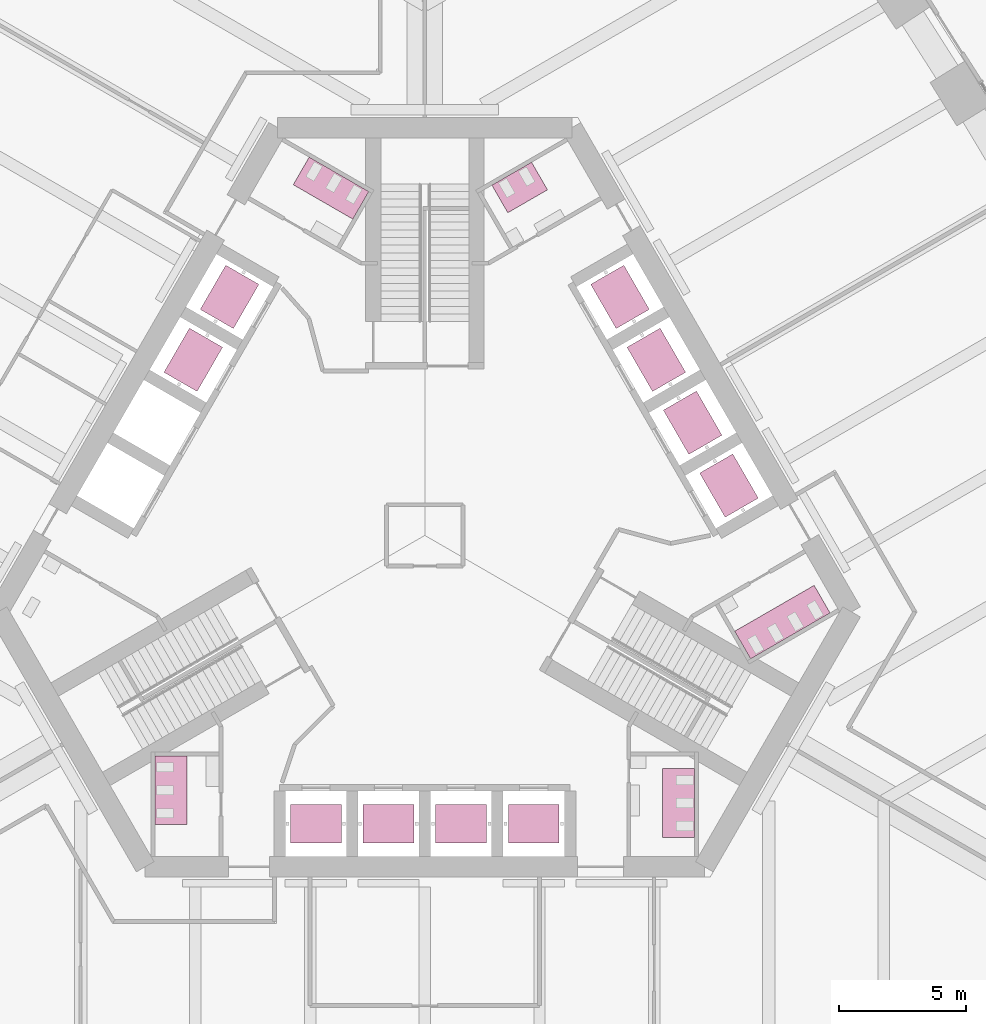
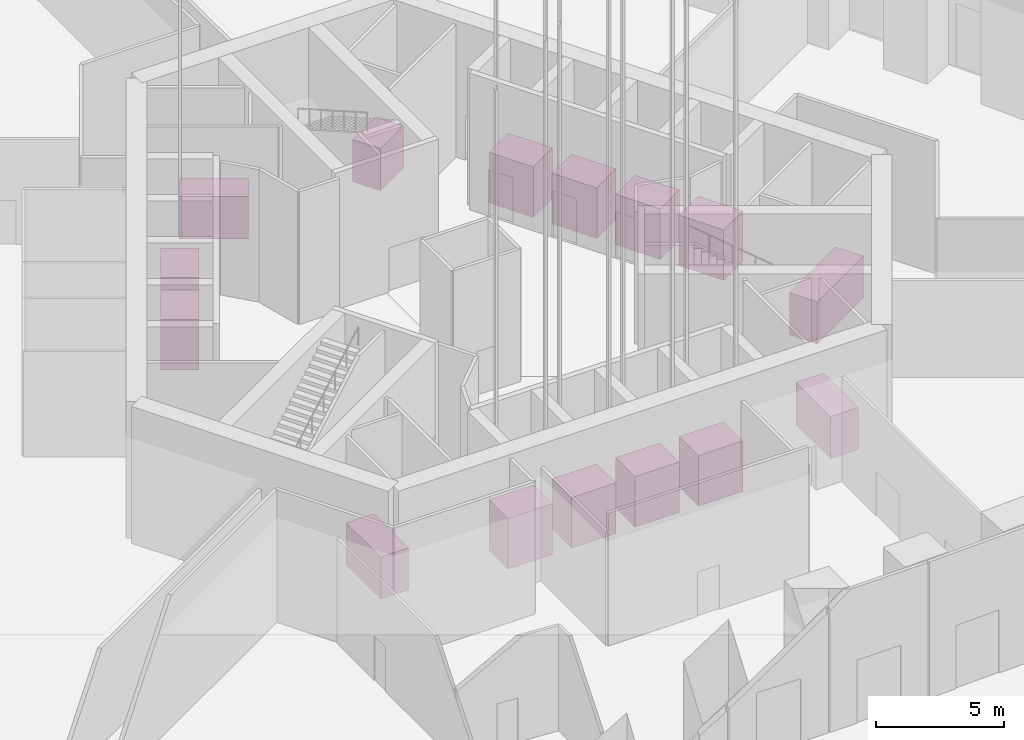
# One storey, part 23 of 43: 10 transport elements, 5 furniture elements.
"""IFC4 building model written with IfcOpenShell, lengths in metres."""

from ifc_helpers import new_model, si_unit, direction, frame, origin, origin_2d, place, context, subcontext, project, spatial, polyline, rectangle, outline, extrude, material, type_object, element, save


model = new_model("IFC4")

# Units and contexts
model_context = context("Model", 3, precision=1e-05, world=origin(), true_north=direction((0.0, 1.0)))
body_context = subcontext(model_context, "Body", "Model", "MODEL_VIEW")
ifc_project = project(units=[si_unit("LENGTHUNIT", "METRE"), si_unit("AREAUNIT", "SQUARE_METRE"), si_unit("VOLUMEUNIT", "CUBIC_METRE"), si_unit("PLANEANGLEUNIT", "RADIAN"), si_unit("MASSUNIT", "GRAM", prefix="KILO")], contexts=[model_context])

# Site, building, storey
site_placement = place(None, origin())
site = spatial("IfcSite", under=ifc_project, at=site_placement, CompositionType="ELEMENT")
building_placement = place(site_placement, origin())
building = spatial("IfcBuilding", under=site, at=building_placement, Name="Trefoil Bronze Tower", CompositionType="ELEMENT")
storey_placement = place(building_placement, origin())
storey = spatial("IfcBuildingStorey", under=building, at=storey_placement, Name="L00", CompositionType="ELEMENT", Elevation=0.0)

# Transport elements
ifc_material_1 = material(Name="Lift car", Category="steel")
transport_element_type_1 = type_object("IfcTransportElementType", Name="Passenger lift 1275", PredefinedType="ELEVATOR", material=ifc_material_1)
for number, where, z_axis, x_axis, name in (
    (1, (-4.27490234375, -11.3125, 0.0), (0.0, 0.0, 1.0), (1.0, 0.0, 0.0), "Lift P11"),
    (2, (-1.425048828125, -11.3125, 0.0), (0.0, 0.0, 1.0), (1.0, 0.0, 0.0), "Lift P12"),
    (3, (1.425048828125, -11.3125, 0.0), (0.0, 0.0, 1.0), (1.0, 0.0, 0.0), "Lift P13"),
    (4, (4.27490234375, -11.3125, 0.0), (0.0, 0.0, 1.0), (1.0, 0.0, 0.0), "Lift P14"),
):
    element("IfcTransportElement", number, at=place(storey_placement, frame(where, z_axis=z_axis, x_axis=x_axis)), inside=storey, type_object=transport_element_type_1, Name=name, PredefinedType="ELEVATOR", context=body_context, shape_type="SweptSolid", body=[
        extrude(rectangle(XDim=2.0, YDim=1.5, at=origin_2d()), origin(), (0.0, 0.0, 1.0), 2.39990234375),
    ])
ifc_material_2 = material(Name="Lift car", Category="steel")
transport_element_type_2 = type_object("IfcTransportElementType", Name="Shuttle lift 1600", PredefinedType="ELEVATOR", material=ifc_material_2)
for number, where, z_axis, x_axis, name in (
    (5, (11.934326171875, 1.9541015625, 0.0), (0.0, 0.0, 1.0), (-0.5, 0.866025403784, 0.0), "Lift S1"),
    (6, (10.509521484375, 4.422119140625, 0.0), (0.0, 0.0, 1.0), (-0.5, 0.866025403784, 0.0), "Lift S2"),
    (7, (9.08447265625, 6.890380859375, 0.0), (0.0, 0.0, 1.0), (-0.5, 0.866025403784, 0.0), "Lift S3"),
    (8, (7.659423828125, 9.3583984375, 0.0), (0.0, 0.0, 1.0), (-0.5, 0.866025403784, 0.0), "Lift S4"),
    (9, (-7.659423828125, 9.3583984375, 0.0), (0.0, 0.0, 1.0), (-0.5, -0.866025403784, 0.0), "Lift S5"),
    (10, (-9.08447265625, 6.890380859375, 0.0), (0.0, 0.0, 1.0), (-0.5, -0.866025403784, 0.0), "Lift S6"),
):
    element("IfcTransportElement", number, at=place(storey_placement, frame(where, z_axis=z_axis, x_axis=x_axis)), inside=storey, type_object=transport_element_type_2, Name=name, PredefinedType="ELEVATOR", context=body_context, shape_type="SweptSolid", body=[
        extrude(rectangle(XDim=2.0, YDim=1.5, at=origin_2d()), origin(), (0.0, 0.0, 1.0), 2.39990234375),
    ])

# Furniture
ifc_material_3 = material(Name="Compact laminate cubicles", Category="plastic")
furniture_type_1 = type_object("IfcFurnitureType", Name="WC cubicle range 2 cubicles", AssemblyPlace="FACTORY", PredefinedType="USERDEFINED", material=ifc_material_3)
furniture_1_placement = place(storey_placement, origin())
element("IfcFurniture", 11, at=furniture_1_placement, inside=storey, type_object=furniture_type_1, Name="WC cubicle range WC (men) L00", ObjectType="WC cubicle range", PredefinedType="USERDEFINED", context=body_context, shape_type="SweptSolid", body=[
    extrude(outline(polyline([(3.256591796875, 12.659423828125), (2.631591796875, 13.741943359375), (4.1904296875, 14.641845703125), (4.8154296875, 13.559326171875), (3.256591796875, 12.659423828125)])), origin(), (0.0, 0.0, 1.0), 2.0),
])
ifc_material_4 = material(Name="Compact laminate cubicles", Category="plastic")
furniture_type_2 = type_object("IfcFurnitureType", Name="WC cubicle range 3 cubicles", AssemblyPlace="FACTORY", PredefinedType="USERDEFINED", material=ifc_material_4)
furniture_2_placement = place(storey_placement, origin())
element("IfcFurniture", 12, at=furniture_2_placement, inside=storey, type_object=furniture_type_2, Name="WC cubicle range WC (men) L00", ObjectType="WC cubicle range", PredefinedType="USERDEFINED", context=body_context, shape_type="SweptSolid", body=[
    extrude(outline(polyline([(9.3349609375, -9.14990234375), (10.5849609375, -9.14990234375), (10.5849609375, -11.85009765625), (9.3349609375, -11.85009765625), (9.3349609375, -9.14990234375)])), origin(), (0.0, 0.0, 1.0), 2.0),
])
furniture_3_placement = place(storey_placement, origin())
element("IfcFurniture", 13, at=furniture_3_placement, inside=storey, type_object=furniture_type_2, Name="WC cubicle range WC (women) L00", ObjectType="WC cubicle range", PredefinedType="USERDEFINED", context=body_context, shape_type="SweptSolid", body=[
    extrude(outline(polyline([(-2.82373046875, 12.409423828125), (-2.19873046875, 13.491943359375), (-4.536865234375, 14.841796875), (-5.161865234375, 13.75927734375), (-2.82373046875, 12.409423828125)])), origin(), (0.0, 0.0, 1.0), 2.0),
])
furniture_4_placement = place(storey_placement, origin())
element("IfcFurniture", 14, at=furniture_4_placement, inside=storey, type_object=furniture_type_2, Name="WC cubicle range WC (women) L00", ObjectType="WC cubicle range", PredefinedType="USERDEFINED", context=body_context, shape_type="SweptSolid", body=[
    extrude(outline(polyline([(-9.3349609375, -8.64990234375), (-10.5849609375, -8.64990234375), (-10.5849609375, -11.35009765625), (-9.3349609375, -11.35009765625), (-9.3349609375, -8.64990234375)])), origin(), (0.0, 0.0, 1.0), 2.0),
])
ifc_material_5 = material(Name="Compact laminate cubicles", Category="plastic")
furniture_type_3 = type_object("IfcFurnitureType", Name="WC cubicle range 4 cubicles", AssemblyPlace="FACTORY", PredefinedType="USERDEFINED", material=ifc_material_5)
furniture_5_placement = place(storey_placement, origin())
element("IfcFurniture", 15, at=furniture_5_placement, inside=storey, type_object=furniture_type_3, Name="WC cubicle range WC (women) L00", ObjectType="WC cubicle range", PredefinedType="USERDEFINED", context=body_context, shape_type="SweptSolid", body=[
    extrude(outline(polyline([(12.15869140625, -3.75927734375), (12.78369140625, -4.841796875), (15.9013671875, -3.0419921875), (15.2763671875, -1.959228515625), (12.15869140625, -3.75927734375)])), origin(), (0.0, 0.0, 1.0), 2.0),
])

save(model, "model.ifc")
